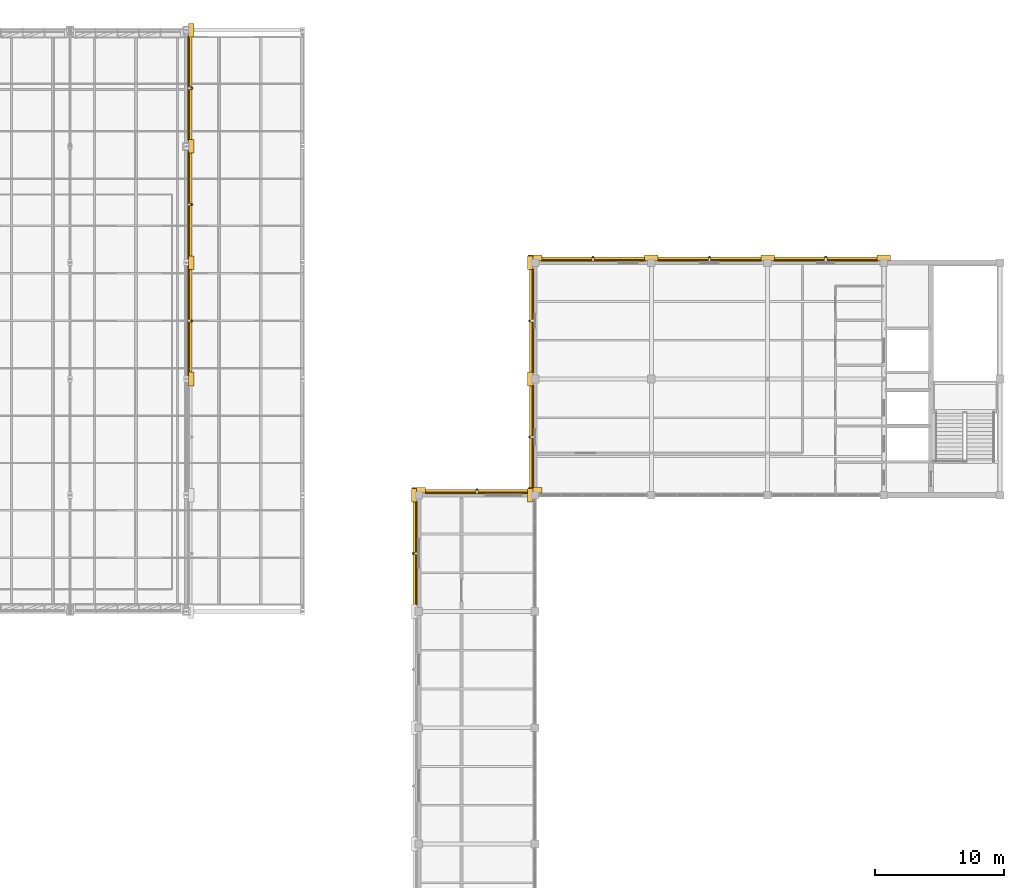
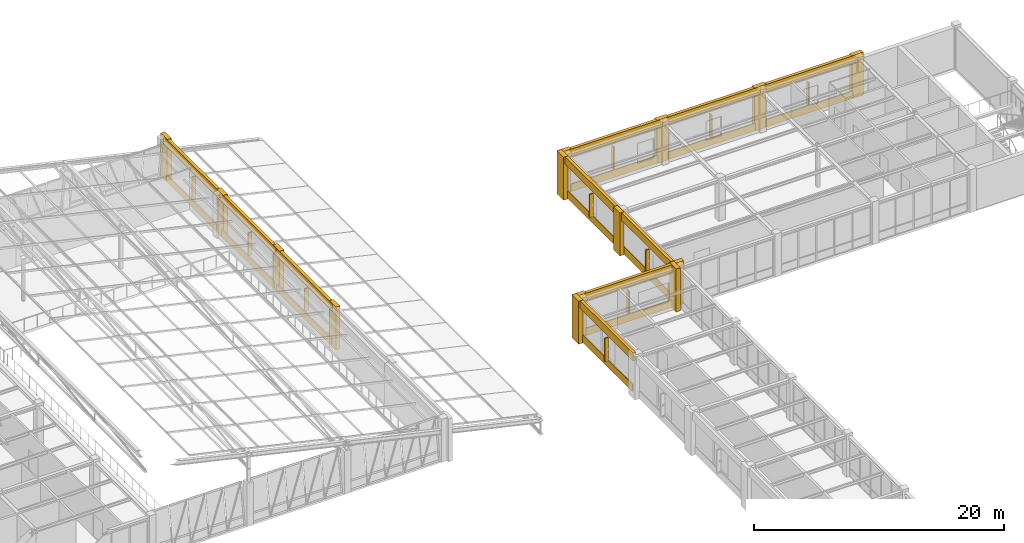
# One storey, part 129 of 130: 34 coverings, 10 shading devices.
"""IFC4 building model written with IfcOpenShell, lengths in metres."""

from ifc_helpers import new_model, si_unit, direction, frame, origin, origin_2d, place, context, subcontext, project, spatial, rectangle, extrude, material, layer, layer_set, type_object, element, save


model = new_model("IFC4")

# Units and contexts
model_context = context("Model", 3, precision=1e-05, world=origin(), true_north=direction((0.0, 1.0)))
body_context = subcontext(model_context, "Body", "Model", "MODEL_VIEW")
ifc_project = project(units=[si_unit("LENGTHUNIT", "METRE"), si_unit("AREAUNIT", "SQUARE_METRE"), si_unit("VOLUMEUNIT", "CUBIC_METRE"), si_unit("PLANEANGLEUNIT", "RADIAN"), si_unit("MASSUNIT", "GRAM", prefix="KILO")], contexts=[model_context])

# Site, building, storey
site_placement = place(None, origin())
site = spatial("IfcSite", under=ifc_project, at=site_placement, CompositionType="ELEMENT")
building_placement = place(site_placement, origin())
building = spatial("IfcBuilding", under=site, at=building_placement, Name="Lykobir Media Centre", CompositionType="ELEMENT")
storey_placement = place(building_placement, frame((0.0, 0.0, 19.199951171875)))
storey = spatial("IfcBuildingStorey", under=building, at=storey_placement, Name="L04", CompositionType="ELEMENT", Elevation=19.199951171875)

# Coverings
ifc_material_1 = material(Name="Glazed Turquoise Terracotta", Category="masonry")
ifc_layer_1 = layer(ifc_material_1, 0.0400390625, Name="Glazed Turquoise Terracotta")
ifc_layer_set_1 = layer_set([ifc_layer_1], Name="Glazed Turquoise Terracotta")
covering_type_1 = type_object("IfcCoveringType", Name="CLD-TERR", PredefinedType="CLADDING", material=ifc_layer_set_1)
covering_1_placement = place(storey_placement, frame((72.1708984375, 85.5, 0.080078125), z_axis=(0.0, 0.0, 1.0), x_axis=(0.0, 1.0, 0.0)))
element("IfcCovering", 1, at=covering_1_placement, inside=storey, type_object=covering_type_1, Name="Facade spandrel apron 634", PredefinedType="CLADDING", context=body_context, shape_type="SweptSolid", body=[
    extrude(rectangle(XDim=8.75, YDim=0.10009765625, at=origin_2d()), origin(), (0.0, 0.0, 1.0), 0.719970703125),
])
covering_2_placement = place(storey_placement, frame((72.1708984375, 94.5, 0.080078125), z_axis=(0.0, 0.0, 1.0), x_axis=(0.0, 1.0, 0.0)))
element("IfcCovering", 2, at=covering_2_placement, inside=storey, type_object=covering_type_1, Name="Facade spandrel apron 637", PredefinedType="CLADDING", context=body_context, shape_type="SweptSolid", body=[
    extrude(rectangle(XDim=8.389892578125, YDim=0.10009765625, at=origin_2d()), origin(), (0.0, 0.0, 1.0), 0.719970703125),
])
for number, where, z_axis, x_axis, name in (
    (3, (72.1708984375, 103.5, 0.080078125), (0.0, 0.0, 1.0), (0.0, 1.0, 0.0), "Facade spandrel apron 640"),
    (4, (94.5, 72.1708984375, 0.080078125), (0.0, 0.0, 1.0), (-1.0, 0.0, 0.0), "Facade spandrel apron 671"),
    (5, (89.8291015625, 67.5, 0.080078125), (0.0, 0.0, 1.0), (0.0, -1.0, 0.0), "Facade spandrel apron 690"),
    (6, (103.5, 90.1708984375, 0.080078125), (0.0, 0.0, 1.0), (-1.0, 0.0, 0.0), "Facade spandrel apron 716"),
    (7, (112.5, 90.1708984375, 0.080078125), (0.0, 0.0, 1.0), (-1.0, 0.0, 0.0), "Facade spandrel apron 719"),
    (8, (121.5, 90.1708984375, 0.080078125), (0.0, 0.0, 1.0), (-1.0, 0.0, 0.0), "Facade spandrel apron 722"),
    (9, (98.8291015625, 76.5, 0.080078125), (0.0, 0.0, 1.0), (0.0, -1.0, 0.0), "Facade spandrel apron 726"),
    (10, (98.8291015625, 85.5, 0.080078125), (0.0, 0.0, 1.0), (0.0, -1.0, 0.0), "Facade spandrel apron 729"),
):
    element("IfcCovering", number, at=place(storey_placement, frame(where, z_axis=z_axis, x_axis=x_axis)), inside=storey, type_object=covering_type_1, Name=name, PredefinedType="CLADDING", context=body_context, shape_type="SweptSolid", body=[
        extrude(rectangle(XDim=8.030029296875, YDim=0.10009765625, at=origin_2d()), origin(), (0.0, 0.0, 1.0), 0.719970703125),
    ])
ifc_material_2 = material(Name="Honed Travertine Stone", Category="masonry")
ifc_layer_2 = layer(ifc_material_2, 0.050048828125, Name="Honed Travertine Stone")
ifc_layer_set_2 = layer_set([ifc_layer_2], Name="Honed Travertine Stone")
covering_type_2 = type_object("IfcCoveringType", Name="CLD-TRAV", PredefinedType="CLADDING", material=ifc_layer_set_2)
for number, where, z_axis, x_axis, name in (
    (11, (72.3798828125, 81.0, 0.0), (0.0, 0.0, 1.0), (0.0, 1.0, 0.0), "Travertine column pier 629"),
    (12, (72.3798828125, 90.0, 0.0), (0.0, 0.0, 1.0), (0.0, 1.0, 0.0), "Travertine column pier 632"),
):
    element("IfcCovering", number, at=place(storey_placement, frame(where, z_axis=z_axis, x_axis=x_axis)), inside=storey, type_object=covering_type_2, Name=name, PredefinedType="CLADDING", context=body_context, shape_type="SweptSolid", body=[
        extrude(rectangle(XDim=1.06005859375, YDim=0.39990234375, at=origin_2d()), origin(), (0.0, 0.0, 1.0), 4.199951171875),
    ])
covering_3_placement = place(storey_placement, frame((72.300048828125, 85.5, 3.43994140625), z_axis=(0.0, 0.0, 1.0), x_axis=(0.0, 1.0, 0.0)))
element("IfcCovering", 13, at=covering_3_placement, inside=storey, type_object=covering_type_2, Name="Travertine spandrel stringcourse 633", PredefinedType="CLADDING", context=body_context, shape_type="SweptSolid", body=[
    extrude(rectangle(XDim=9.0, YDim=0.280029296875, at=origin_2d()), origin(), (0.0, 0.0, 1.0), 0.760009765625),
])
covering_4_placement = place(storey_placement, frame((72.3798828125, 99.0, 0.0), z_axis=(0.0, 0.0, 1.0), x_axis=(0.0, 1.0, 0.0)))
element("IfcCovering", 14, at=covering_4_placement, inside=storey, type_object=covering_type_2, Name="Travertine column pier 635", PredefinedType="CLADDING", context=body_context, shape_type="SweptSolid", body=[
    extrude(rectangle(XDim=1.06005859375, YDim=0.39990234375, at=origin_2d()), origin(), (0.0, 0.0, 1.0), 4.199951171875),
])
covering_5_placement = place(storey_placement, frame((72.300048828125, 94.5, 3.43994140625), z_axis=(0.0, 0.0, 1.0), x_axis=(0.0, 1.0, 0.0)))
element("IfcCovering", 15, at=covering_5_placement, inside=storey, type_object=covering_type_2, Name="Travertine spandrel stringcourse 636", PredefinedType="CLADDING", context=body_context, shape_type="SweptSolid", body=[
    extrude(rectangle(XDim=9.0, YDim=0.280029296875, at=origin_2d()), origin(), (0.0, 0.0, 1.0), 0.760009765625),
])
covering_6_placement = place(storey_placement, frame((72.3798828125, 108.0, 0.0), z_axis=(0.0, 0.0, 1.0), x_axis=(0.0, 1.0, 0.0)))
element("IfcCovering", 16, at=covering_6_placement, inside=storey, type_object=covering_type_2, Name="Travertine column pier 638", PredefinedType="CLADDING", context=body_context, shape_type="SweptSolid", body=[
    extrude(rectangle(XDim=1.06005859375, YDim=0.39990234375, at=origin_2d()), origin(), (0.0, 0.0, 1.0), 4.199951171875),
])
covering_7_placement = place(storey_placement, frame((72.300048828125, 103.5, 3.43994140625), z_axis=(0.0, 0.0, 1.0), x_axis=(0.0, 1.0, 0.0)))
element("IfcCovering", 17, at=covering_7_placement, inside=storey, type_object=covering_type_2, Name="Travertine spandrel stringcourse 639", PredefinedType="CLADDING", context=body_context, shape_type="SweptSolid", body=[
    extrude(rectangle(XDim=9.0, YDim=0.280029296875, at=origin_2d()), origin(), (0.0, 0.0, 1.0), 0.760009765625),
])
for number, where, z_axis, x_axis, name in (
    (18, (99.0, 72.3798828125, 0.0), (0.0, 0.0, 1.0), (-1.0, 0.0, 0.0), "Travertine column pier 668"),
    (19, (90.0, 72.3798828125, 0.0), (0.0, 0.0, 1.0), (-1.0, 0.0, 0.0), "Travertine column pier 669"),
):
    element("IfcCovering", number, at=place(storey_placement, frame(where, z_axis=z_axis, x_axis=x_axis)), inside=storey, type_object=covering_type_2, Name=name, PredefinedType="CLADDING", context=body_context, shape_type="SweptSolid", body=[
        extrude(rectangle(XDim=1.06005859375, YDim=0.39990234375, at=origin_2d()), origin(), (0.0, 0.0, 1.0), 4.199951171875),
    ])
covering_8_placement = place(storey_placement, frame((94.5, 72.300048828125, 3.43994140625), z_axis=(0.0, 0.0, 1.0), x_axis=(-1.0, 0.0, 0.0)))
element("IfcCovering", 20, at=covering_8_placement, inside=storey, type_object=covering_type_2, Name="Travertine spandrel stringcourse 670", PredefinedType="CLADDING", context=body_context, shape_type="SweptSolid", body=[
    extrude(rectangle(XDim=9.0, YDim=0.280029296875, at=origin_2d()), origin(), (0.0, 0.0, 1.0), 0.760009765625),
])
covering_9_placement = place(storey_placement, frame((89.6201171875, 72.0, 0.0), z_axis=(0.0, 0.0, 1.0), x_axis=(0.0, -1.0, 0.0)))
element("IfcCovering", 21, at=covering_9_placement, inside=storey, type_object=covering_type_2, Name="Travertine column pier 688", PredefinedType="CLADDING", context=body_context, shape_type="SweptSolid", body=[
    extrude(rectangle(XDim=1.06005859375, YDim=0.39990234375, at=origin_2d()), origin(), (0.0, 0.0, 1.0), 4.199951171875),
])
covering_10_placement = place(storey_placement, frame((89.699951171875, 67.5, 3.43994140625), z_axis=(0.0, 0.0, 1.0), x_axis=(0.0, -1.0, 0.0)))
element("IfcCovering", 22, at=covering_10_placement, inside=storey, type_object=covering_type_2, Name="Travertine spandrel stringcourse 689", PredefinedType="CLADDING", context=body_context, shape_type="SweptSolid", body=[
    extrude(rectangle(XDim=9.0, YDim=0.280029296875, at=origin_2d()), origin(), (0.0, 0.0, 1.0), 0.760009765625),
])
for number, where, z_axis, x_axis, name in (
    (23, (108.0, 90.3798828125, 0.0), (0.0, 0.0, 1.0), (-1.0, 0.0, 0.0), "Travertine column pier 713"),
    (24, (99.0, 90.3798828125, 0.0), (0.0, 0.0, 1.0), (-1.0, 0.0, 0.0), "Travertine column pier 714"),
):
    element("IfcCovering", number, at=place(storey_placement, frame(where, z_axis=z_axis, x_axis=x_axis)), inside=storey, type_object=covering_type_2, Name=name, PredefinedType="CLADDING", context=body_context, shape_type="SweptSolid", body=[
        extrude(rectangle(XDim=1.06005859375, YDim=0.39990234375, at=origin_2d()), origin(), (0.0, 0.0, 1.0), 4.199951171875),
    ])
covering_11_placement = place(storey_placement, frame((103.5, 90.300048828125, 3.43994140625), z_axis=(0.0, 0.0, 1.0), x_axis=(-1.0, 0.0, 0.0)))
element("IfcCovering", 25, at=covering_11_placement, inside=storey, type_object=covering_type_2, Name="Travertine spandrel stringcourse 715", PredefinedType="CLADDING", context=body_context, shape_type="SweptSolid", body=[
    extrude(rectangle(XDim=9.0, YDim=0.280029296875, at=origin_2d()), origin(), (0.0, 0.0, 1.0), 0.760009765625),
])
covering_12_placement = place(storey_placement, frame((117.0, 90.3798828125, 0.0), z_axis=(0.0, 0.0, 1.0), x_axis=(-1.0, 0.0, 0.0)))
element("IfcCovering", 26, at=covering_12_placement, inside=storey, type_object=covering_type_2, Name="Travertine column pier 717", PredefinedType="CLADDING", context=body_context, shape_type="SweptSolid", body=[
    extrude(rectangle(XDim=1.06005859375, YDim=0.39990234375, at=origin_2d()), origin(), (0.0, 0.0, 1.0), 4.199951171875),
])
covering_13_placement = place(storey_placement, frame((112.5, 90.300048828125, 3.43994140625), z_axis=(0.0, 0.0, 1.0), x_axis=(-1.0, 0.0, 0.0)))
element("IfcCovering", 27, at=covering_13_placement, inside=storey, type_object=covering_type_2, Name="Travertine spandrel stringcourse 718", PredefinedType="CLADDING", context=body_context, shape_type="SweptSolid", body=[
    extrude(rectangle(XDim=9.0, YDim=0.280029296875, at=origin_2d()), origin(), (0.0, 0.0, 1.0), 0.760009765625),
])
covering_14_placement = place(storey_placement, frame((126.0, 90.3798828125, 0.0), z_axis=(0.0, 0.0, 1.0), x_axis=(-1.0, 0.0, 0.0)))
element("IfcCovering", 28, at=covering_14_placement, inside=storey, type_object=covering_type_2, Name="Travertine column pier 720", PredefinedType="CLADDING", context=body_context, shape_type="SweptSolid", body=[
    extrude(rectangle(XDim=1.06005859375, YDim=0.39990234375, at=origin_2d()), origin(), (0.0, 0.0, 1.0), 4.199951171875),
])
covering_15_placement = place(storey_placement, frame((121.5, 90.300048828125, 3.43994140625), z_axis=(0.0, 0.0, 1.0), x_axis=(-1.0, 0.0, 0.0)))
element("IfcCovering", 29, at=covering_15_placement, inside=storey, type_object=covering_type_2, Name="Travertine spandrel stringcourse 721", PredefinedType="CLADDING", context=body_context, shape_type="SweptSolid", body=[
    extrude(rectangle(XDim=9.0, YDim=0.280029296875, at=origin_2d()), origin(), (0.0, 0.0, 1.0), 0.760009765625),
])
for number, where, z_axis, x_axis, name in (
    (30, (98.6201171875, 81.0, 0.0), (0.0, 0.0, 1.0), (0.0, -1.0, 0.0), "Travertine column pier 723"),
    (31, (98.6201171875, 72.0, 0.0), (0.0, 0.0, 1.0), (0.0, -1.0, 0.0), "Travertine column pier 724"),
):
    element("IfcCovering", number, at=place(storey_placement, frame(where, z_axis=z_axis, x_axis=x_axis)), inside=storey, type_object=covering_type_2, Name=name, PredefinedType="CLADDING", context=body_context, shape_type="SweptSolid", body=[
        extrude(rectangle(XDim=1.06005859375, YDim=0.39990234375, at=origin_2d()), origin(), (0.0, 0.0, 1.0), 4.199951171875),
    ])
covering_16_placement = place(storey_placement, frame((98.699951171875, 76.5, 3.43994140625), z_axis=(0.0, 0.0, 1.0), x_axis=(0.0, -1.0, 0.0)))
element("IfcCovering", 32, at=covering_16_placement, inside=storey, type_object=covering_type_2, Name="Travertine spandrel stringcourse 725", PredefinedType="CLADDING", context=body_context, shape_type="SweptSolid", body=[
    extrude(rectangle(XDim=9.0, YDim=0.280029296875, at=origin_2d()), origin(), (0.0, 0.0, 1.0), 0.760009765625),
])
covering_17_placement = place(storey_placement, frame((98.6201171875, 90.0, 0.0), z_axis=(0.0, 0.0, 1.0), x_axis=(0.0, -1.0, 0.0)))
element("IfcCovering", 33, at=covering_17_placement, inside=storey, type_object=covering_type_2, Name="Travertine column pier 727", PredefinedType="CLADDING", context=body_context, shape_type="SweptSolid", body=[
    extrude(rectangle(XDim=1.06005859375, YDim=0.39990234375, at=origin_2d()), origin(), (0.0, 0.0, 1.0), 4.199951171875),
])
covering_18_placement = place(storey_placement, frame((98.699951171875, 85.5, 3.43994140625), z_axis=(0.0, 0.0, 1.0), x_axis=(0.0, -1.0, 0.0)))
element("IfcCovering", 34, at=covering_18_placement, inside=storey, type_object=covering_type_2, Name="Travertine spandrel stringcourse 728", PredefinedType="CLADDING", context=body_context, shape_type="SweptSolid", body=[
    extrude(rectangle(XDim=9.0, YDim=0.280029296875, at=origin_2d()), origin(), (0.0, 0.0, 1.0), 0.760009765625),
])

# Shading devices
shading_device_type = type_object("IfcShadingDeviceType", Name="SHD-FIN", PredefinedType="USERDEFINED", material=ifc_material_1)
for number, where, z_axis, x_axis, name in (
    (35, (72.324951171875, 85.5, 0.72509765625), (0.0, 0.0, 1.0), (0.0, 1.0, 0.0), "Terracotta shading fin 58"),
    (36, (72.324951171875, 94.5, 0.72509765625), (0.0, 0.0, 1.0), (0.0, 1.0, 0.0), "Terracotta shading fin 59"),
    (37, (72.324951171875, 103.5, 0.72509765625), (0.0, 0.0, 1.0), (0.0, 1.0, 0.0), "Terracotta shading fin 60"),
    (38, (94.5, 72.324951171875, 0.72509765625), (0.0, 0.0, 1.0), (-1.0, 0.0, 0.0), "Terracotta shading fin 64"),
    (39, (89.675048828125, 67.5, 0.72509765625), (0.0, 0.0, 1.0), (0.0, -1.0, 0.0), "Terracotta shading fin 70"),
    (40, (103.5, 90.324951171875, 0.72509765625), (0.0, 0.0, 1.0), (-1.0, 0.0, 0.0), "Terracotta shading fin 76"),
    (41, (112.5, 90.324951171875, 0.72509765625), (0.0, 0.0, 1.0), (-1.0, 0.0, 0.0), "Terracotta shading fin 77"),
    (42, (121.5, 90.324951171875, 0.72509765625), (0.0, 0.0, 1.0), (-1.0, 0.0, 0.0), "Terracotta shading fin 78"),
    (43, (98.675048828125, 76.5, 0.72509765625), (0.0, 0.0, 1.0), (0.0, -1.0, 0.0), "Terracotta shading fin 79"),
    (44, (98.675048828125, 85.5, 0.72509765625), (0.0, 0.0, 1.0), (0.0, -1.0, 0.0), "Terracotta shading fin 80"),
):
    element("IfcShadingDevice", number, at=place(storey_placement, frame(where, z_axis=z_axis, x_axis=x_axis)), inside=storey, type_object=shading_device_type, Name=name, ObjectType="FIN", PredefinedType="USERDEFINED", context=body_context, shape_type="SweptSolid", body=[
        extrude(rectangle(XDim=0.1201171875, YDim=0.35009765625, at=origin_2d()), origin(), (0.0, 0.0, 1.0), 2.25),
    ])

save(model, "model.ifc")
